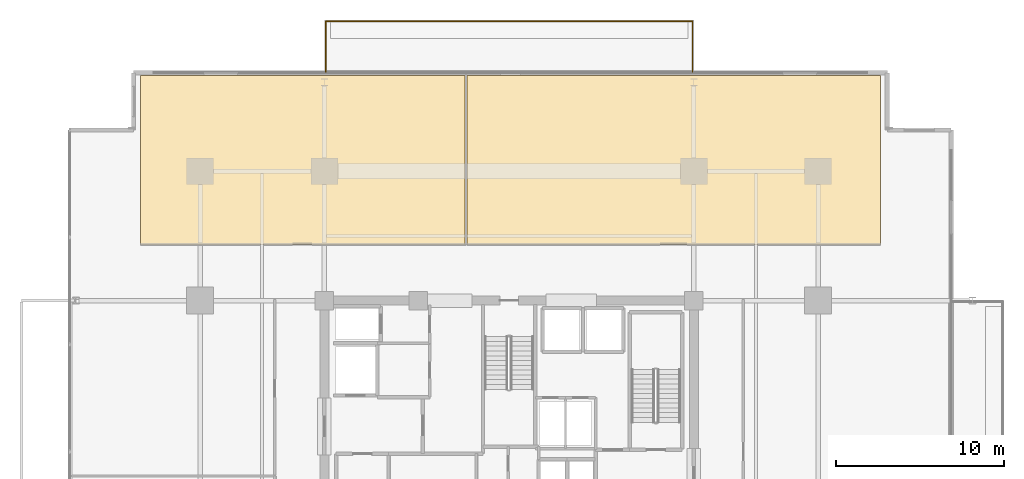
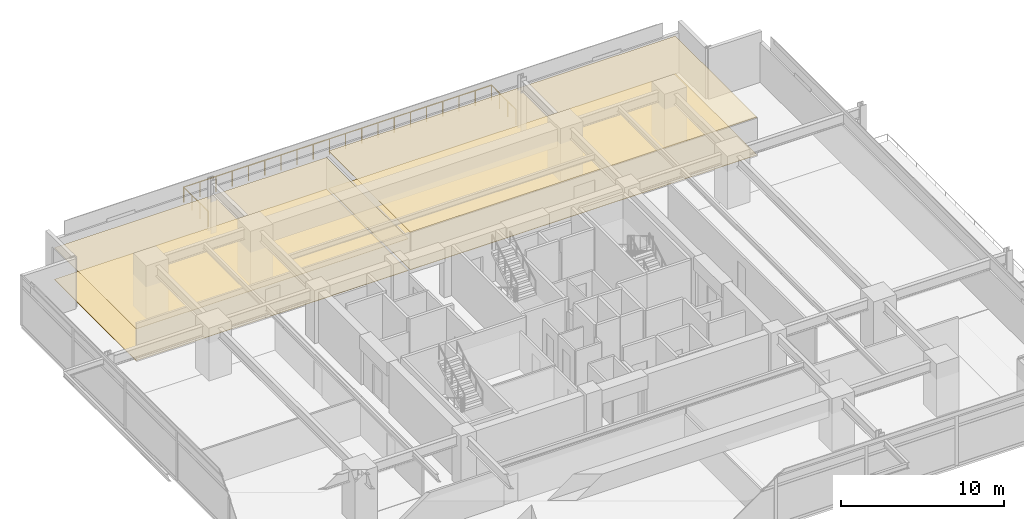
# One storey, part 24 of 24: 4 coverings, 1 railing.
"""IFC4 building model written with IfcOpenShell, lengths in metres."""

from ifc_helpers import new_model, si_unit, direction, frame, origin, origin_2d, place, context, subcontext, project, spatial, polyline, circle, outline, extrude, material, layer, layer_set, type_object, element, save


model = new_model("IFC4")

# Units and contexts
model_context = context("Model", 3, precision=1e-05, world=origin(), true_north=direction((0.0, 1.0)))
body_context = subcontext(model_context, "Body", "Model", "MODEL_VIEW")
ifc_project = project(units=[si_unit("LENGTHUNIT", "METRE"), si_unit("AREAUNIT", "SQUARE_METRE"), si_unit("VOLUMEUNIT", "CUBIC_METRE"), si_unit("PLANEANGLEUNIT", "RADIAN"), si_unit("MASSUNIT", "GRAM", prefix="KILO")], contexts=[model_context])

# Site, building, storey
site_placement = place(None, origin())
site = spatial("IfcSite", under=ifc_project, at=site_placement, CompositionType="ELEMENT")
building_placement = place(site_placement, origin())
building = spatial("IfcBuilding", under=site, at=building_placement, Name="Kovane Verandah Tower", CompositionType="ELEMENT")
storey_placement = place(building_placement, frame((0.0, 0.0, 132.39990234375)))
storey = spatial("IfcBuildingStorey", under=building, at=storey_placement, Name="L30", CompositionType="ELEMENT", Elevation=132.39990234375)

# Coverings
ifc_material_1 = material(Name="Perforated Acoustic Mineral-Fibre Ceiling Tile", Category="gypsum")
ifc_layer_1 = layer(ifc_material_1, 0.02490234375)
ifc_layer_set_1 = layer_set([ifc_layer_1], Name="Perforated Acoustic Mineral-Fibre Ceiling Tile")
covering_type_1 = type_object("IfcCoveringType", Name="CV-CEIL-25", PredefinedType="CEILING", material=ifc_layer_set_1)
covering_1_placement = place(storey_placement, frame((0.0, 0.0, 2.380126953125)))
element("IfcCovering", 1, at=covering_1_placement, inside=storey, type_object=covering_type_1, Name="L30 Executive Office N1 Acoustic Ceiling", PredefinedType="CEILING", context=body_context, shape_type="SweptSolid", body=[
    extrude(outline(polyline([(18.03759765625, 39.85009765625), (37.361328125, 39.85009765625), (37.361328125, 49.90380859375), (18.03759765625, 49.90380859375), (18.03759765625, 39.85009765625)])), origin(), (0.0, 0.0, 1.0), 0.02490234375),
])
covering_2_placement = place(storey_placement, frame((0.0, 0.0, 2.8251953125)))
element("IfcCovering", 2, at=covering_2_placement, inside=storey, type_object=covering_type_1, Name="L30 Client Boardroom N2 Acoustic Ceiling", PredefinedType="CEILING", context=body_context, shape_type="SweptSolid", body=[
    extrude(outline(polyline([(37.501220703125, 39.85009765625), (62.114013671875, 39.85009765625), (62.114013671875, 49.90380859375), (37.501220703125, 49.90380859375), (37.501220703125, 39.85009765625)])), origin(), (0.0, 0.0, 1.0), 0.02490234375),
])
ifc_material_2 = material(Name="Polished Terrazzo and Raised-Access Carpet Tile Finish", Category="concrete")
ifc_layer_2 = layer(ifc_material_2, 0.030029296875)
ifc_layer_set_2 = layer_set([ifc_layer_2], Name="Polished Terrazzo and Raised-Access Carpet Tile Finish")
covering_type_2 = type_object("IfcCoveringType", Name="CV-FLOR-30", PredefinedType="FLOORING", material=ifc_layer_set_2)
covering_3_placement = place(storey_placement, origin())
element("IfcCovering", 3, at=covering_3_placement, inside=storey, type_object=covering_type_2, Name="L30 Executive Office N1 Floor Finish", PredefinedType="FLOORING", context=body_context, shape_type="SweptSolid", body=[
    extrude(outline(polyline([(18.03759765625, 39.85009765625), (37.361328125, 39.85009765625), (37.361328125, 49.90380859375), (18.03759765625, 49.90380859375), (18.03759765625, 39.85009765625)])), origin(), (0.0, 0.0, 1.0), 0.030029296875),
])
covering_4_placement = place(storey_placement, origin())
element("IfcCovering", 4, at=covering_4_placement, inside=storey, type_object=covering_type_2, Name="L30 Client Boardroom N2 Floor Finish", PredefinedType="FLOORING", context=body_context, shape_type="SweptSolid", body=[
    extrude(outline(polyline([(37.501220703125, 39.85009765625), (62.114013671875, 39.85009765625), (62.114013671875, 49.90380859375), (37.501220703125, 49.90380859375), (37.501220703125, 39.85009765625)])), origin(), (0.0, 0.0, 1.0), 0.030029296875),
])

# Railing
ifc_material_3 = material(Name="Laminated Glass and Pale-Champagne Stainless Balustrade", Category="glass")
railing_type = type_object("IfcRailingType", Name="RL-BAL-1150", PredefinedType="BALUSTRADE", material=ifc_material_3)
railing_placement = place(storey_placement, frame((29.080078125, 50.103759765625, 0.0)))
element("IfcRailing", 5, at=railing_placement, inside=storey, type_object=railing_type, Name="L30 N Verandah Glass Balustrade", PredefinedType="BALUSTRADE", context=body_context, shape_type="SweptSolid", body=[
    extrude(circle(Radius=0.02392578125, at=origin_2d()), frame((0.0, 0.0, 1.1259765625), z_axis=(0.0, 1.0, 0.0), x_axis=(-1.0, 0.0, 0.0)), (0.0, 0.0, 1.0), 3.02001953125),
    extrude(circle(Radius=0.02392578125, at=origin_2d()), frame((0.0, 3.02001953125, 1.1259765625), z_axis=(1.0, 0.0, 0.0), x_axis=(0.0, 1.0, 0.0)), (0.0, 0.0, 1.0), 21.83984375),
    extrude(circle(Radius=0.02392578125, at=origin_2d()), frame((21.83984375, 3.02001953125, 1.1259765625), z_axis=(0.0, -1.0, 0.0), x_axis=(1.0, 0.0, 0.0)), (0.0, 0.0, 1.0), 3.02001953125),
    extrude(circle(Radius=0.02099609375, at=origin_2d()), origin(), (0.0, 0.0, 1.0), 1.101806640625),
    extrude(circle(Radius=0.02099609375, at=origin_2d()), frame((0.0, 1.006591796875, 0.0)), (0.0, 0.0, 1.0), 1.101806640625),
    extrude(circle(Radius=0.02099609375, at=origin_2d()), frame((0.0, 2.013427734375, 0.0)), (0.0, 0.0, 1.0), 1.101806640625),
    extrude(circle(Radius=0.02099609375, at=origin_2d()), frame((0.0, 3.02001953125, 0.0)), (0.0, 0.0, 1.0), 1.101806640625),
    extrude(circle(Radius=0.02099609375, at=origin_2d()), frame((1.1494140625, 3.02001953125, 0.0)), (0.0, 0.0, 1.0), 1.101806640625),
    extrude(circle(Radius=0.02099609375, at=origin_2d()), frame((2.298828125, 3.02001953125, 0.0)), (0.0, 0.0, 1.0), 1.101806640625),
    extrude(circle(Radius=0.02099609375, at=origin_2d()), frame((3.448486328125, 3.02001953125, 0.0)), (0.0, 0.0, 1.0), 1.101806640625),
    extrude(circle(Radius=0.02099609375, at=origin_2d()), frame((4.597900390625, 3.02001953125, 0.0)), (0.0, 0.0, 1.0), 1.101806640625),
    extrude(circle(Radius=0.02099609375, at=origin_2d()), frame((5.747314453125, 3.02001953125, 0.0)), (0.0, 0.0, 1.0), 1.101806640625),
    extrude(circle(Radius=0.02099609375, at=origin_2d()), frame((6.896728515625, 3.02001953125, 0.0)), (0.0, 0.0, 1.0), 1.101806640625),
    extrude(circle(Radius=0.02099609375, at=origin_2d()), frame((8.046142578125, 3.02001953125, 0.0)), (0.0, 0.0, 1.0), 1.101806640625),
    extrude(circle(Radius=0.02099609375, at=origin_2d()), frame((9.19580078125, 3.02001953125, 0.0)), (0.0, 0.0, 1.0), 1.101806640625),
    extrude(circle(Radius=0.02099609375, at=origin_2d()), frame((10.34521484375, 3.02001953125, 0.0)), (0.0, 0.0, 1.0), 1.101806640625),
    extrude(circle(Radius=0.02099609375, at=origin_2d()), frame((11.49462890625, 3.02001953125, 0.0)), (0.0, 0.0, 1.0), 1.101806640625),
    extrude(circle(Radius=0.02099609375, at=origin_2d()), frame((12.64404296875, 3.02001953125, 0.0)), (0.0, 0.0, 1.0), 1.101806640625),
    extrude(circle(Radius=0.02099609375, at=origin_2d()), frame((13.793701171875, 3.02001953125, 0.0)), (0.0, 0.0, 1.0), 1.101806640625),
    extrude(circle(Radius=0.02099609375, at=origin_2d()), frame((14.943115234375, 3.02001953125, 0.0)), (0.0, 0.0, 1.0), 1.101806640625),
    extrude(circle(Radius=0.02099609375, at=origin_2d()), frame((16.092529296875, 3.02001953125, 0.0)), (0.0, 0.0, 1.0), 1.101806640625),
    extrude(circle(Radius=0.02099609375, at=origin_2d()), frame((17.241943359375, 3.02001953125, 0.0)), (0.0, 0.0, 1.0), 1.101806640625),
    extrude(circle(Radius=0.02099609375, at=origin_2d()), frame((18.391357421875, 3.02001953125, 0.0)), (0.0, 0.0, 1.0), 1.101806640625),
    extrude(circle(Radius=0.02099609375, at=origin_2d()), frame((19.541015625, 3.02001953125, 0.0)), (0.0, 0.0, 1.0), 1.101806640625),
    extrude(circle(Radius=0.02099609375, at=origin_2d()), frame((20.6904296875, 3.02001953125, 0.0)), (0.0, 0.0, 1.0), 1.101806640625),
    extrude(circle(Radius=0.02099609375, at=origin_2d()), frame((21.83984375, 3.02001953125, 0.0)), (0.0, 0.0, 1.0), 1.101806640625),
    extrude(circle(Radius=0.02099609375, at=origin_2d()), frame((21.83984375, 2.013427734375, 0.0)), (0.0, 0.0, 1.0), 1.101806640625),
    extrude(circle(Radius=0.02099609375, at=origin_2d()), frame((21.83984375, 1.006591796875, 0.0)), (0.0, 0.0, 1.0), 1.101806640625),
    extrude(circle(Radius=0.02099609375, at=origin_2d()), frame((21.83984375, 0.0, 0.0)), (0.0, 0.0, 1.0), 1.101806640625),
])

save(model, "model.ifc")
